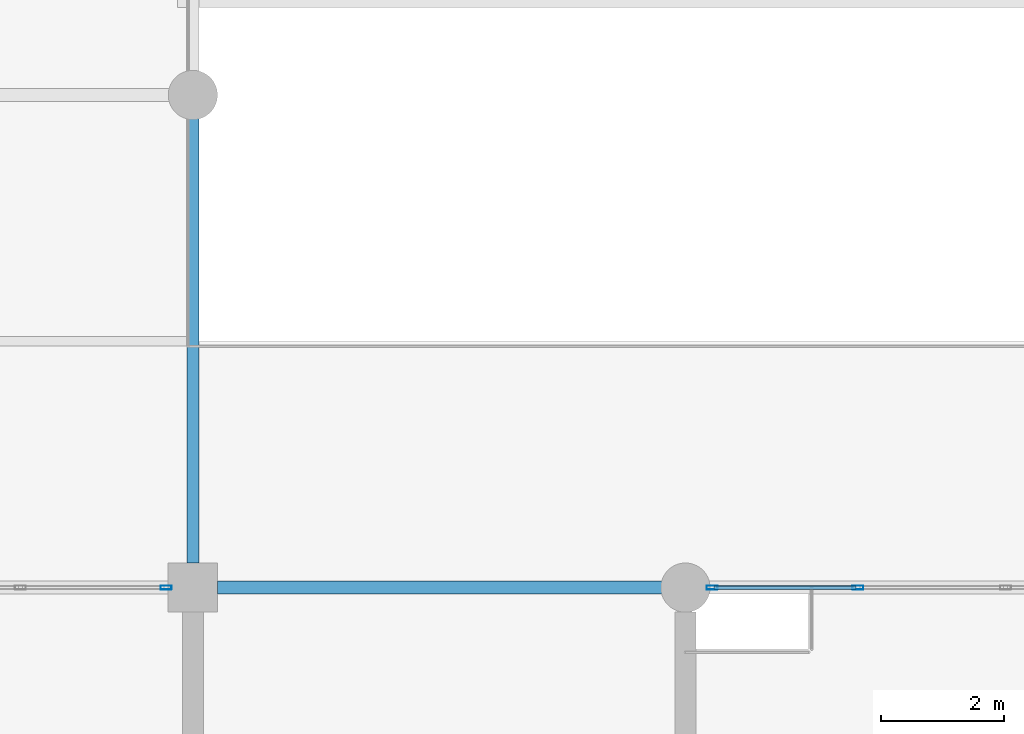
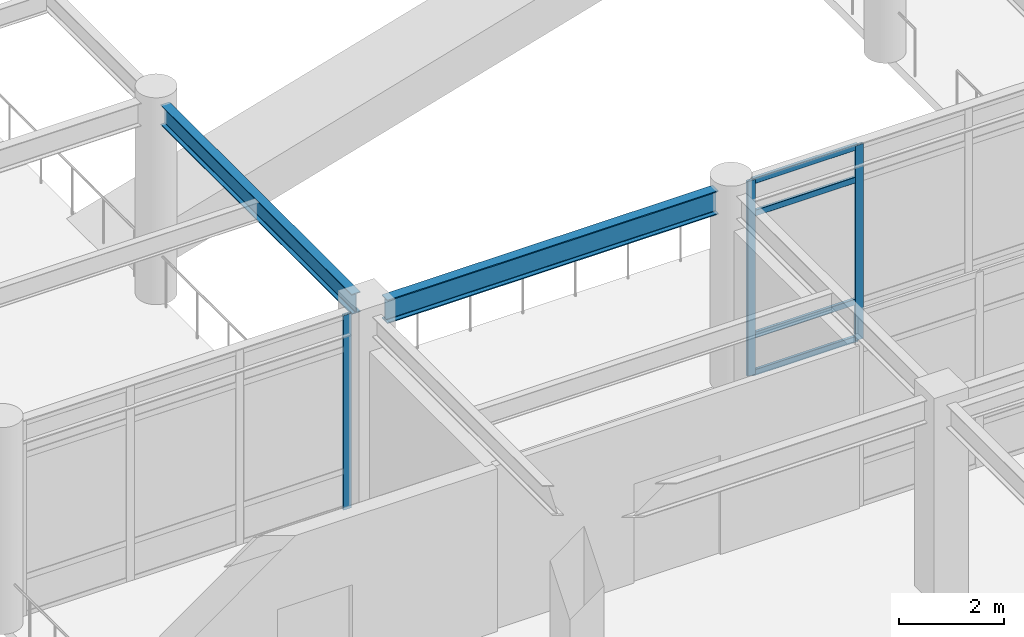
# One storey, part 36 of 117: 7 members, 2 beams, 2 elements without a shape of their own.
"""IFC4 building model written with IfcOpenShell, lengths in metres."""

from ifc_helpers import new_model, si_unit, direction, frame, origin, origin_2d, place, context, subcontext, project, spatial, hollow_rectangle, i_section, extrude, material, material_profile, profile_set, type_object, element, aggregate, save


model = new_model("IFC4")

# Units and contexts
model_context = context("Model", 3, precision=1e-05, world=origin(), true_north=direction((0.0, 1.0)))
body_context = subcontext(model_context, "Body", "Model", "MODEL_VIEW")
ifc_project = project(units=[si_unit("LENGTHUNIT", "METRE"), si_unit("AREAUNIT", "SQUARE_METRE"), si_unit("VOLUMEUNIT", "CUBIC_METRE"), si_unit("PLANEANGLEUNIT", "RADIAN"), si_unit("MASSUNIT", "GRAM", prefix="KILO")], contexts=[model_context])

# Site, building, storey
site_placement = place(None, origin())
site = spatial("IfcSite", under=ifc_project, at=site_placement, CompositionType="ELEMENT")
building_placement = place(site_placement, origin())
building = spatial("IfcBuilding", under=site, at=building_placement, Name="Solmirada Galleria", CompositionType="ELEMENT")
storey_placement = place(building_placement, frame((0.0, 0.0, 5.60009765625)))
storey = spatial("IfcBuildingStorey", under=building, at=storey_placement, Name="L01", CompositionType="ELEMENT", Elevation=5.60009765625)

# Beams
ifc_material_1 = material(Name="Steel S355 / ASTM A992 Grade 50", Category="steel")
ifc_material_profile_1 = material_profile(ifc_material_1, i_section(OverallWidth=0.194091796875, OverallDepth=0.468994140625, WebThickness=0.0126953125, FlangeThickness=0.0205078125, FilletRadius=0.013916015625, at=origin_2d()), Name="W18X71")
ifc_profile_set_1 = profile_set([ifc_material_profile_1], Name="Steel S355 / ASTM A992 Grade 50")
beam_type_1 = type_object("IfcBeamType", Name="BM-GIRD-W18B", PredefinedType="BEAM", material=ifc_profile_set_1)
beam_1_placement = place(storey_placement, frame((88.0, 48.39990234375, 4.365478515625), z_axis=(0.0, 1.0, 0.0), x_axis=(-1.0, 0.0, 0.0)))
element("IfcBeam", 1, at=beam_1_placement, inside=storey, type_object=beam_type_1, Name="Primary girder L02 Y(88, 48..56)", PredefinedType="BEAM", context=body_context, shape_type="SweptSolid", body=[
    extrude(i_section(OverallWidth=0.194091796875, OverallDepth=0.468994140625, WebThickness=0.0126953125, FlangeThickness=0.0205078125, FilletRadius=0.013916015625, at=origin_2d()), origin(), (0.0, 0.0, 1.0), 7.26416015625),
])
ifc_material_profile_2 = material_profile(ifc_material_1, i_section(OverallWidth=0.214111328125, OverallDepth=0.549072265625, WebThickness=0.0146484375, FlangeThickness=0.023681640625, FilletRadius=0.014892578125, at=origin_2d()), Name="W21X93")
ifc_profile_set_2 = profile_set([ifc_material_profile_2], Name="Steel S355 / ASTM A992 Grade 50")
beam_type_2 = type_object("IfcBeamType", Name="BM-GIRD-W21A", PredefinedType="BEAM", material=ifc_profile_set_2)
beam_2_placement = place(storey_placement, frame((88.39990234375, 48.0, 4.325439453125), z_axis=(1.0, 0.0, 0.0), x_axis=(0.0, 1.0, 0.0)))
element("IfcBeam", 2, at=beam_2_placement, inside=storey, type_object=beam_type_2, Name="Primary beam L02 X(88..96, 48)", PredefinedType="BEAM", context=body_context, shape_type="SweptSolid", body=[
    extrude(i_section(OverallWidth=0.214111328125, OverallDepth=0.549072265625, WebThickness=0.0146484375, FlangeThickness=0.023681640625, FilletRadius=0.014892578125, at=origin_2d()), origin(), (0.0, 0.0, 1.0), 7.26416015625),
])

# Curtain wall, member
ifc_material_2 = material(Name="Impact-resistant low-E double glazing", Category="glass")
curtain_wall_type = type_object("IfcCurtainWallType", Name="CW-FZ3-L01-B3-L072", PredefinedType="NOTDEFINED", material=ifc_material_2)
curtain_wall_1_placement = place(storey_placement, origin())
curtain_wall_1 = element("IfcCurtainWall", 3, at=curtain_wall_1_placement, inside=storey, type_object=curtain_wall_type, Name="Terrace and arcade storefront CW-L01-043", PredefinedType="NOTDEFINED")
ifc_material_3 = material(Name="Anodised aluminium framing", Category="aluminium")
ifc_material_profile_3 = material_profile(ifc_material_3, hollow_rectangle(XDim=0.06494140625, YDim=0.179931640625, WallThickness=0.00390625, InnerFilletRadius=0.00390625, OuterFilletRadius=0.008056640625, at=origin_2d()), Name="ALU-MULL-180X65")
ifc_profile_set_3 = profile_set([ifc_material_profile_3], Name="Anodised aluminium framing")
member_type_1 = type_object("IfcMemberType", Name="CW-MULL-180", PredefinedType="MULLION", material=ifc_profile_set_3)
member_1_placement = place(storey_placement, frame((87.5654296875, 48.0, 0.0), z_axis=(0.0, 0.0, 1.0), x_axis=(0.0, -1.0, 0.0)))
member_1 = element("IfcMember", 4, at=member_1_placement, type_object=member_type_1, Name="CW12 mullion 1", PredefinedType="MULLION", context=body_context, shape_type="SweptSolid", body=[
    extrude(hollow_rectangle(XDim=0.06494140625, YDim=0.179931640625, WallThickness=0.00390625, InnerFilletRadius=0.00390625, OuterFilletRadius=0.008056640625, at=origin_2d()), origin(), (0.0, 0.0, 1.0), 4.52001953125),
])
aggregate(curtain_wall_1, [member_1])

# Curtain wall, members
curtain_wall_2_placement = place(storey_placement, origin())
curtain_wall_2 = element("IfcCurtainWall", 5, at=curtain_wall_2_placement, inside=storey, type_object=curtain_wall_type, Name="Terrace and arcade storefront CW-L01-072", PredefinedType="NOTDEFINED")
member_2_placement = place(storey_placement, frame((98.80078125, 48.0, 0.0), z_axis=(0.0, 0.0, 1.0), x_axis=(0.0, -1.0, 0.0)))
member_2 = element("IfcMember", 6, at=member_2_placement, type_object=member_type_1, Name="CW12 mullion 3", PredefinedType="MULLION", context=body_context, shape_type="SweptSolid", body=[
    extrude(hollow_rectangle(XDim=0.06494140625, YDim=0.179931640625, WallThickness=0.00390625, InnerFilletRadius=0.00390625, OuterFilletRadius=0.008056640625, at=origin_2d()), origin(), (0.0, 0.0, 1.0), 4.52001953125),
])
member_3_placement = place(storey_placement, frame((96.4345703125, 48.0, 0.0), z_axis=(0.0, 0.0, 1.0), x_axis=(0.0, -1.0, 0.0)))
member_3 = element("IfcMember", 7, at=member_3_placement, type_object=member_type_1, Name="CW12 mullion 4", PredefinedType="MULLION", context=body_context, shape_type="SweptSolid", body=[
    extrude(hollow_rectangle(XDim=0.06494140625, YDim=0.179931640625, WallThickness=0.00390625, InnerFilletRadius=0.00390625, OuterFilletRadius=0.008056640625, at=origin_2d()), origin(), (0.0, 0.0, 1.0), 4.52001953125),
])
ifc_material_profile_4 = material_profile(ifc_material_3, hollow_rectangle(XDim=0.06494140625, YDim=0.139892578125, WallThickness=0.00341796875, InnerFilletRadius=0.00341796875, OuterFilletRadius=0.007080078125, at=origin_2d()), Name="ALU-TRAN-140X65")
ifc_profile_set_4 = profile_set([ifc_material_profile_4], Name="Anodised aluminium framing")
member_type_2 = type_object("IfcMemberType", Name="CW-TRAN-140", PredefinedType="USERDEFINED", material=ifc_profile_set_4)
member_4_placement = place(storey_placement, frame((98.76806640625, 48.0, 0.032470703125), z_axis=(-1.0, 0.0, 0.0), x_axis=(0.0, -1.0, 0.0)))
member_4 = element("IfcMember", 8, at=member_4_placement, type_object=member_type_2, Name="CW12 transom 3.1", ObjectType="TRANSOM", PredefinedType="USERDEFINED", context=body_context, shape_type="SweptSolid", body=[
    extrude(hollow_rectangle(XDim=0.06494140625, YDim=0.139892578125, WallThickness=0.00341796875, InnerFilletRadius=0.00341796875, OuterFilletRadius=0.007080078125, at=origin_2d()), origin(), (0.0, 0.0, 1.0), 2.301025390625),
])
member_5_placement = place(storey_placement, frame((98.76806640625, 48.0, 0.89990234375), z_axis=(-1.0, 0.0, 0.0), x_axis=(0.0, -1.0, 0.0)))
member_5 = element("IfcMember", 9, at=member_5_placement, type_object=member_type_2, Name="CW12 transom 3.2", ObjectType="TRANSOM", PredefinedType="USERDEFINED", context=body_context, shape_type="SweptSolid", body=[
    extrude(hollow_rectangle(XDim=0.06494140625, YDim=0.139892578125, WallThickness=0.00341796875, InnerFilletRadius=0.00341796875, OuterFilletRadius=0.007080078125, at=origin_2d()), origin(), (0.0, 0.0, 1.0), 2.301025390625),
])
member_6_placement = place(storey_placement, frame((98.76806640625, 48.0, 3.72998046875), z_axis=(-1.0, 0.0, 0.0), x_axis=(0.0, -1.0, 0.0)))
member_6 = element("IfcMember", 10, at=member_6_placement, type_object=member_type_2, Name="CW12 transom 3.3", ObjectType="TRANSOM", PredefinedType="USERDEFINED", context=body_context, shape_type="SweptSolid", body=[
    extrude(hollow_rectangle(XDim=0.06494140625, YDim=0.139892578125, WallThickness=0.00341796875, InnerFilletRadius=0.00341796875, OuterFilletRadius=0.007080078125, at=origin_2d()), origin(), (0.0, 0.0, 1.0), 2.301025390625),
])
member_7_placement = place(storey_placement, frame((98.76806640625, 48.0, 4.4873046875), z_axis=(-1.0, 0.0, 0.0), x_axis=(0.0, -1.0, 0.0)))
member_7 = element("IfcMember", 11, at=member_7_placement, type_object=member_type_2, Name="CW12 transom 3.4", ObjectType="TRANSOM", PredefinedType="USERDEFINED", context=body_context, shape_type="SweptSolid", body=[
    extrude(hollow_rectangle(XDim=0.06494140625, YDim=0.139892578125, WallThickness=0.00341796875, InnerFilletRadius=0.00341796875, OuterFilletRadius=0.007080078125, at=origin_2d()), origin(), (0.0, 0.0, 1.0), 2.301025390625),
])
aggregate(curtain_wall_2, [member_2, member_3, member_4, member_5, member_6, member_7])

save(model, "model.ifc")
